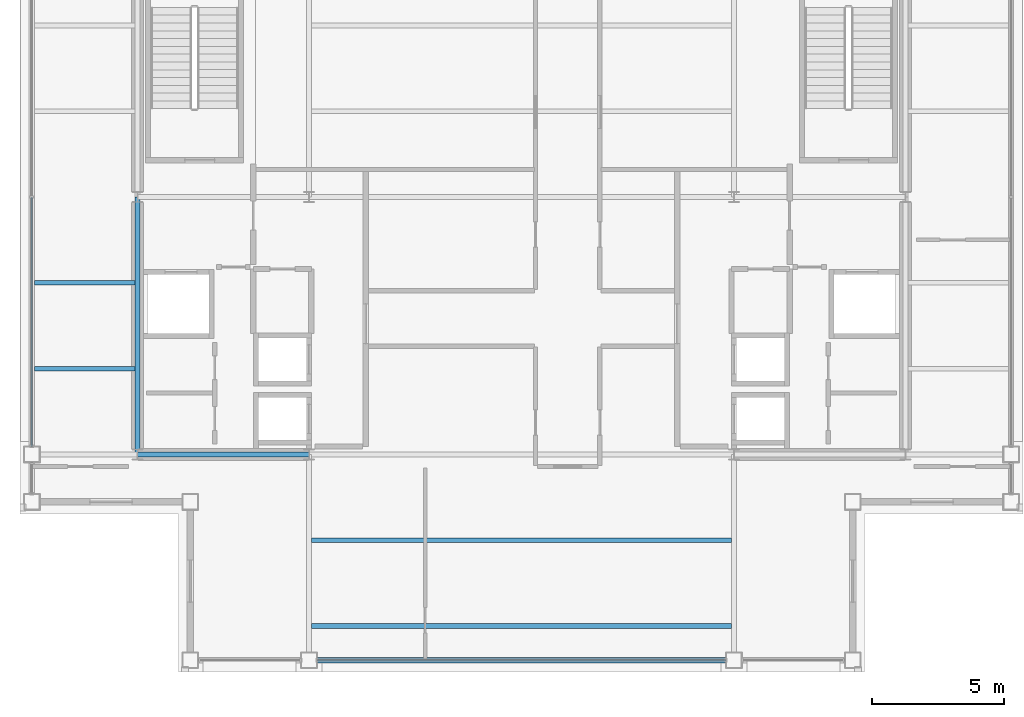
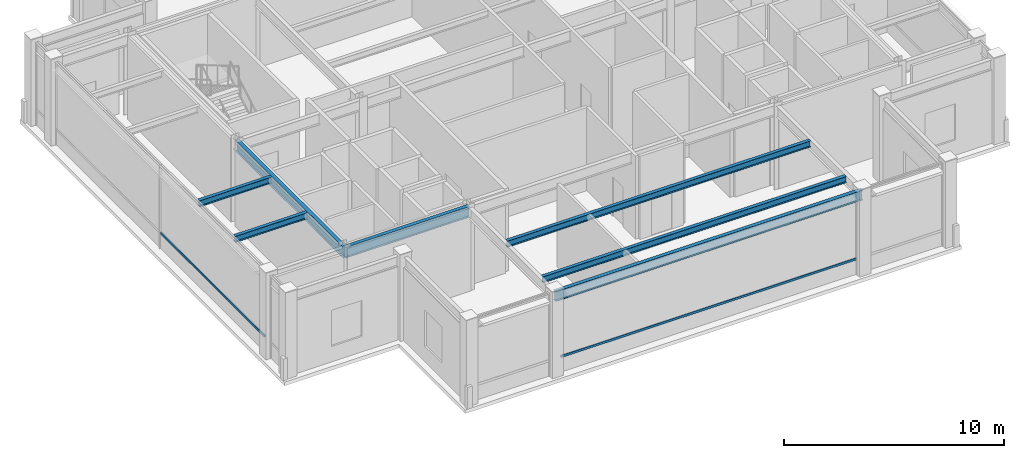
# One storey, part 3 of 21: 7 beams, 2 members, 2 elements without a shape of their own.
"""IFC4 building model written with IfcOpenShell, lengths in metres."""

from ifc_helpers import new_model, si_unit, direction, frame, origin, origin_2d, place, context, subcontext, project, spatial, hollow_rectangle, i_section, extrude, material, layer, layer_set, material_profile, profile_set, type_object, element, aggregate, save


model = new_model("IFC4")

# Units and contexts
model_context = context("Model", 3, precision=1e-05, world=origin(), true_north=direction((0.0, 1.0)))
body_context = subcontext(model_context, "Body", "Model", "MODEL_VIEW")
ifc_project = project(units=[si_unit("LENGTHUNIT", "METRE"), si_unit("AREAUNIT", "SQUARE_METRE"), si_unit("VOLUMEUNIT", "CUBIC_METRE"), si_unit("PLANEANGLEUNIT", "RADIAN"), si_unit("MASSUNIT", "GRAM", prefix="KILO")], contexts=[model_context])

# Site, building, storey
site_placement = place(None, origin())
site = spatial("IfcSite", under=ifc_project, at=site_placement, CompositionType="ELEMENT")
building_placement = place(site_placement, origin())
building = spatial("IfcBuilding", under=site, at=building_placement, Name="Brelmoor Portico Tower", CompositionType="ELEMENT")
storey_placement = place(building_placement, frame((0.0, 0.0, 284.39990234375)))
storey = spatial("IfcBuildingStorey", under=building, at=storey_placement, Name="L75", CompositionType="ELEMENT", Elevation=284.39990234375)

# Beams
ifc_material_1 = material(Name="Steel Q355B", Category="steel")
ifc_material_profile_1 = material_profile(ifc_material_1, i_section(OverallWidth=0.175048828125, OverallDepth=0.35009765625, WebThickness=0.007080078125, FlangeThickness=0.010986328125, at=origin_2d()), Name="HN 350x175x7x11")
ifc_profile_set_1 = profile_set([ifc_material_profile_1], Name="Steel Q355B")
beam_type_1 = type_object("IfcBeamType", Name="BM-JS-350", PredefinedType="JOIST", material=ifc_profile_set_1)
for number, where, z_axis, x_axis, name in (
    (1, (-7.949951171875, -16.25, 4.425048828125), (1.0, 0.0, 0.0), (0.0, 1.0, 0.0), "L75 Secondary Composite Joist JS-C01"),
    (2, (-7.949951171875, -13.0, 4.425048828125), (1.0, 0.0, 0.0), (0.0, 1.0, 0.0), "L75 Secondary Composite Joist JS-C02"),
):
    element("IfcBeam", number, at=place(storey_placement, frame(where, z_axis=z_axis, x_axis=x_axis)), inside=storey, type_object=beam_type_1, Name=name, PredefinedType="JOIST", context=body_context, shape_type="SweptSolid", body=[
        extrude(i_section(OverallWidth=0.175048828125, OverallDepth=0.35009765625, WebThickness=0.007080078125, FlangeThickness=0.010986328125, at=origin_2d()), origin(), (0.0, 0.0, 1.0), 15.89990234375),
    ])
for number, where, z_axis, x_axis, name in (
    (3, (-18.449951171875, -6.5, 4.425048828125), (1.0, 0.0, 0.0), (0.0, 1.0, 0.0), "L75 Secondary Wing Joist JS-W07"),
    (4, (-18.449951171875, -3.25, 4.425048828125), (1.0, 0.0, 0.0), (0.0, 1.0, 0.0), "L75 Secondary Wing Joist JS-W08"),
):
    element("IfcBeam", number, at=place(storey_placement, frame(where, z_axis=z_axis, x_axis=x_axis)), inside=storey, type_object=beam_type_1, Name=name, PredefinedType="JOIST", context=body_context, shape_type="SweptSolid", body=[
        extrude(i_section(OverallWidth=0.175048828125, OverallDepth=0.35009765625, WebThickness=0.007080078125, FlangeThickness=0.010986328125, at=origin_2d()), origin(), (0.0, 0.0, 1.0), 3.800048828125),
    ])
ifc_material_profile_2 = material_profile(ifc_material_1, i_section(OverallWidth=0.199951171875, OverallDepth=0.60009765625, WebThickness=0.010986328125, FlangeThickness=0.01708984375, at=origin_2d()), Name="HN 600x200x11x17")
ifc_profile_set_2 = profile_set([ifc_material_profile_2], Name="Steel Q355B")
beam_type_2 = type_object("IfcBeamType", Name="BM-PG-600", PredefinedType="BEAM", material=ifc_profile_set_2)
beam_1_placement = place(storey_placement, frame((-14.550048828125, -9.75, 4.300048828125), z_axis=(0.0, 1.0, 0.0), x_axis=(-1.0, 0.0, 0.0)))
element("IfcBeam", 5, at=beam_1_placement, inside=storey, type_object=beam_type_2, Name="L75 Primary Floor Girder PG-01", PredefinedType="BEAM", context=body_context, shape_type="SweptSolid", body=[
    extrude(i_section(OverallWidth=0.199951171875, OverallDepth=0.60009765625, WebThickness=0.010986328125, FlangeThickness=0.01708984375, at=origin_2d()), origin(), (0.0, 0.0, 1.0), 9.75),
])
beam_2_placement = place(storey_placement, frame((-14.550048828125, -9.75, 4.300048828125), z_axis=(1.0, 0.0, 0.0), x_axis=(0.0, 1.0, 0.0)))
element("IfcBeam", 6, at=beam_2_placement, inside=storey, type_object=beam_type_2, Name="L75 Primary Floor Girder PG-12", PredefinedType="BEAM", context=body_context, shape_type="SweptSolid", body=[
    extrude(i_section(OverallWidth=0.199951171875, OverallDepth=0.60009765625, WebThickness=0.010986328125, FlangeThickness=0.01708984375, at=origin_2d()), origin(), (0.0, 0.0, 1.0), 6.5),
])
ifc_material_profile_3 = material_profile(ifc_material_1, i_section(OverallWidth=0.199951171875, OverallDepth=0.550048828125, WebThickness=0.010009765625, FlangeThickness=0.01611328125, at=origin_2d()), Name="HN 550x200x10x16")
ifc_profile_set_3 = profile_set([ifc_material_profile_3], Name="Steel Q355B")
beam_type_3 = type_object("IfcBeamType", Name="BM-SP-550", PredefinedType="SPANDREL", material=ifc_profile_set_3)
beam_3_placement = place(storey_placement, frame((-8.050048828125, -17.550048828125, 4.3251953125), z_axis=(1.0, 0.0, 0.0), x_axis=(0.0, 1.0, 0.0)))
element("IfcBeam", 7, at=beam_3_placement, inside=storey, type_object=beam_type_3, Name="L75 Perimeter Spandrel Beam SP-02", PredefinedType="SPANDREL", context=body_context, shape_type="SweptSolid", body=[
    extrude(i_section(OverallWidth=0.199951171875, OverallDepth=0.550048828125, WebThickness=0.010009765625, FlangeThickness=0.01611328125, at=origin_2d()), origin(), (0.0, 0.0, 1.0), 16.10009765625),
])

# Curtain wall, member
ifc_material_2 = material(Name="Anodised Aluminium Alloy 6063-T6", Category="aluminium")
ifc_layer = layer(ifc_material_2, 0.179931640625)
ifc_layer_set = layer_set([ifc_layer], Name="Anodised Aluminium Alloy 6063-T6")
curtain_wall_type = type_object("IfcCurtainWallType", Name="CW-TOWER-Z4", PredefinedType="NOTDEFINED", material=ifc_layer_set)
curtain_wall_1_placement = place(storey_placement, origin())
curtain_wall_1 = element("IfcCurtainWall", 8, at=curtain_wall_1_placement, inside=storey, type_object=curtain_wall_type, Name="L75 Curtain Wall CW-L75-01-2", PredefinedType="NOTDEFINED")
ifc_material_profile_4 = material_profile(ifc_material_2, hollow_rectangle(XDim=0.06005859375, YDim=0.125, WallThickness=0.00341796875, at=origin_2d()), Name="ALU TRANSOM 60x125")
ifc_profile_set_4 = profile_set([ifc_material_profile_4], Name="Anodised Aluminium Alloy 6063-T6")
member_type = type_object("IfcMemberType", Name="MB-CW-TRAN-125", PredefinedType="USERDEFINED", material=ifc_profile_set_4)
member_1_placement = place(storey_placement, frame((-7.739990234375, -17.550048828125, 0.85009765625), z_axis=(1.0, 0.0, 0.0), x_axis=(0.0, 1.0, 0.0)))
member_1 = element("IfcMember", 9, at=member_1_placement, type_object=member_type, Name="CW-L75-01-2 Transom 1-00", ObjectType="TRANSOM", PredefinedType="USERDEFINED", context=body_context, shape_type="SweptSolid", body=[
    extrude(hollow_rectangle(XDim=0.06005859375, YDim=0.125, WallThickness=0.00341796875, at=origin_2d()), origin(), (0.0, 0.0, 1.0), 15.47998046875),
])
aggregate(curtain_wall_1, [member_1])

curtain_wall_2_placement = place(storey_placement, origin())
curtain_wall_2 = element("IfcCurtainWall", 10, at=curtain_wall_2_placement, inside=storey, type_object=curtain_wall_type, Name="L75 Curtain Wall CW-L75-03-2", PredefinedType="NOTDEFINED")
member_2_placement = place(storey_placement, frame((-18.550048828125, -9.43994140625, 0.85009765625), z_axis=(0.0, 1.0, 0.0), x_axis=(-1.0, 0.0, 0.0)))
member_2 = element("IfcMember", 11, at=member_2_placement, type_object=member_type, Name="CW-L75-03-2 Transom 1-00", ObjectType="TRANSOM", PredefinedType="USERDEFINED", context=body_context, shape_type="SweptSolid", body=[
    extrude(hollow_rectangle(XDim=0.06005859375, YDim=0.125, WallThickness=0.00341796875, at=origin_2d()), origin(), (0.0, 0.0, 1.0), 9.43994140625),
])
aggregate(curtain_wall_2, [member_2])

save(model, "model.ifc")
